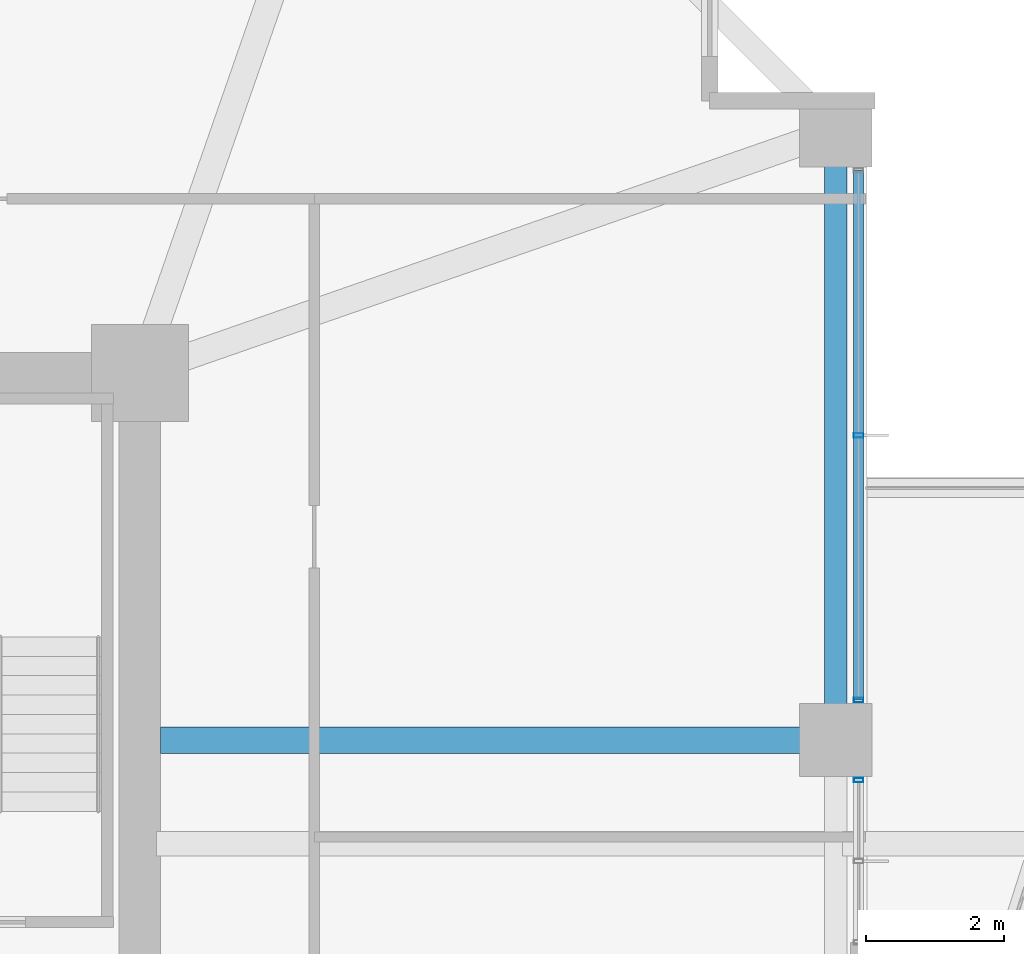
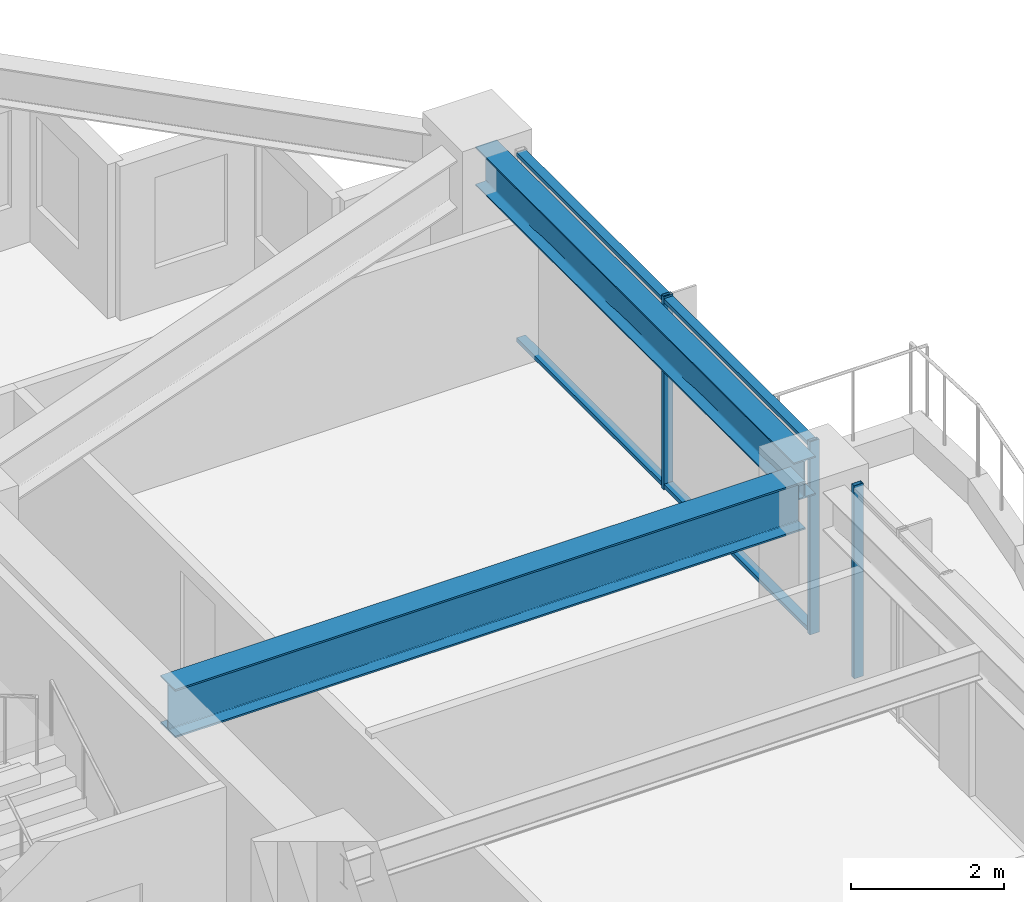
# One storey, part 18 of 36: 5 members, 2 beams, 2 elements without a shape of their own.
"""IFC4 building model written with IfcOpenShell, lengths in metres."""

from ifc_helpers import new_model, si_unit, direction, frame, origin, origin_2d, place, context, subcontext, project, spatial, hollow_rectangle, i_section, extrude, material, material_profile, profile_set, type_object, element, aggregate, save


model = new_model("IFC4")

# Units and contexts
model_context = context("Model", 3, precision=1e-05, world=origin(), true_north=direction((0.0, 1.0)))
body_context = subcontext(model_context, "Body", "Model", "MODEL_VIEW")
ifc_project = project(units=[si_unit("LENGTHUNIT", "METRE"), si_unit("AREAUNIT", "SQUARE_METRE"), si_unit("VOLUMEUNIT", "CUBIC_METRE"), si_unit("PLANEANGLEUNIT", "RADIAN"), si_unit("MASSUNIT", "GRAM", prefix="KILO")], contexts=[model_context])

# Site, building, storey
site_placement = place(None, origin())
site = spatial("IfcSite", under=ifc_project, at=site_placement, CompositionType="ELEMENT")
building_placement = place(site_placement, origin())
building = spatial("IfcBuilding", under=site, at=building_placement, Name="Kolvaren Belvedere", CompositionType="ELEMENT")
storey_placement = place(building_placement, frame((0.0, 0.0, 88.699951171875)))
storey = spatial("IfcBuildingStorey", under=building, at=storey_placement, Name="L25", CompositionType="ELEMENT", Elevation=88.699951171875)

# Beams
ifc_material_1 = material(Name="Structural steel ASTM A992 Grade 50", Category="steel")
ifc_material_profile_1 = material_profile(ifc_material_1, i_section(OverallWidth=0.381103515625, OverallDepth=0.77294921875, WebThickness=0.0166015625, FlangeThickness=0.027099609375, FilletRadius=0.02392578125, at=origin_2d()), Name="W30X173")
ifc_profile_set_1 = profile_set([ifc_material_profile_1], Name="Structural steel ASTM A992 Grade 50")
beam_type_1 = type_object("IfcBeamType", Name="BM-GIRD-W30X173", PredefinedType="BEAM", material=ifc_profile_set_1)
beam_1_placement = place(storey_placement, frame((10.199951171875, 4.60009765625, 2.693603515625), z_axis=(1.0, 0.0, 0.0), x_axis=(0.0, 1.0, 0.0)))
element("IfcBeam", 1, at=beam_1_placement, inside=storey, type_object=beam_type_1, Name="L25 East Radial Girder P", PredefinedType="BEAM", context=body_context, shape_type="SweptSolid", body=[
    extrude(i_section(OverallWidth=0.381103515625, OverallDepth=0.77294921875, WebThickness=0.0166015625, FlangeThickness=0.027099609375, FilletRadius=0.02392578125, at=origin_2d()), origin(), (0.0, 0.0, 1.0), 9.513916015625),
])
ifc_material_2 = material(Name="Structural steel ASTM A992 Grade 50", Category="steel")
ifc_material_profile_2 = material_profile(ifc_material_2, i_section(OverallWidth=0.324951171875, OverallDepth=0.615966796875, WebThickness=0.013916015625, FlangeThickness=0.021484375, FilletRadius=0.02001953125, at=origin_2d()), Name="W24X117")
ifc_profile_set_2 = profile_set([ifc_material_profile_2], Name="Structural steel ASTM A992 Grade 50")
beam_type_2 = type_object("IfcBeamType", Name="BM-SPAN-W24X117", PredefinedType="SPANDREL", material=ifc_profile_set_2)
beam_2_placement = place(storey_placement, frame((19.949951171875, 4.836181640625, 2.77197265625), z_axis=(0.0, 1.0, 0.0), x_axis=(-1.0, 0.0, 0.0)))
element("IfcBeam", 2, at=beam_2_placement, inside=storey, type_object=beam_type_2, Name="L25 Perimeter Spandrel E3-E4", PredefinedType="SPANDREL", context=body_context, shape_type="SweptSolid", body=[
    extrude(i_section(OverallWidth=0.324951171875, OverallDepth=0.615966796875, WebThickness=0.013916015625, FlangeThickness=0.021484375, FilletRadius=0.02001953125, at=origin_2d()), origin(), (0.0, 0.0, 1.0), 8.32763671875),
])

# Curtain wall, members
ifc_material_3 = material(Name="Anodised pale-metal aluminium AA 6063-T6", Category="aluminium")
curtain_wall_type = type_object("IfcCurtainWallType", Name="CW-Z2-MID", PredefinedType="NOTDEFINED", material=ifc_material_3)
curtain_wall_1_placement = place(storey_placement, origin())
curtain_wall_1 = element("IfcCurtainWall", 3, at=curtain_wall_1_placement, inside=storey, type_object=curtain_wall_type, Name="L25 Unitised Curtain Wall FCW-L25-E1-B1", PredefinedType="NOTDEFINED")
ifc_material_4 = material(Name="Anodised pale-metal aluminium AA 6063-T6", Category="aluminium")
ifc_material_profile_3 = material_profile(ifc_material_4, hollow_rectangle(XDim=0.06494140625, YDim=0.139892578125, WallThickness=0.00390625, at=origin_2d()), Name="ALU-MUL-140X65")
ifc_profile_set_3 = profile_set([ifc_material_profile_3], Name="Anodised pale-metal aluminium AA 6063-T6")
member_type_1 = type_object("IfcMemberType", Name="CW-MUL-140", PredefinedType="MULLION", material=ifc_profile_set_3)
member_1_placement = place(storey_placement, frame((20.280029296875, 9.0, 0.0), z_axis=(0.0, 0.0, 1.0), x_axis=(0.0, 1.0, 0.0)))
member_1 = element("IfcMember", 4, at=member_1_placement, type_object=member_type_1, Name="FCW-L25-E1-B1 Unitised Mullion 2", PredefinedType="MULLION", context=body_context, shape_type="SweptSolid", body=[
    extrude(hollow_rectangle(XDim=0.06494140625, YDim=0.139892578125, WallThickness=0.00390625, at=origin_2d()), origin(), (0.0, 0.0, 1.0), 3.080078125),
])
member_2_placement = place(storey_placement, frame((20.280029296875, 5.177490234375, 0.0), z_axis=(0.0, 0.0, 1.0), x_axis=(0.0, 1.0, 0.0)))
member_2 = element("IfcMember", 5, at=member_2_placement, type_object=member_type_1, Name="FCW-L25-E1-B1 Unitised Mullion 3", PredefinedType="MULLION", context=body_context, shape_type="SweptSolid", body=[
    extrude(hollow_rectangle(XDim=0.06494140625, YDim=0.139892578125, WallThickness=0.00390625, at=origin_2d()), origin(), (0.0, 0.0, 1.0), 3.080078125),
])

# Curtain wall, member
curtain_wall_2_placement = place(storey_placement, origin())
curtain_wall_2 = element("IfcCurtainWall", 6, at=curtain_wall_2_placement, inside=storey, type_object=curtain_wall_type, Name="L25 Unitised Curtain Wall FCW-L25-E1-B2", PredefinedType="NOTDEFINED")
member_3_placement = place(storey_placement, frame((20.280029296875, 4.0224609375, 0.0), z_axis=(0.0, 0.0, 1.0), x_axis=(0.0, 1.0, 0.0)))
member_3 = element("IfcMember", 7, at=member_3_placement, type_object=member_type_1, Name="FCW-L25-E1-B2 Unitised Mullion 1", PredefinedType="MULLION", context=body_context, shape_type="SweptSolid", body=[
    extrude(hollow_rectangle(XDim=0.06494140625, YDim=0.139892578125, WallThickness=0.00390625, at=origin_2d()), origin(), (0.0, 0.0, 1.0), 3.080078125),
])
aggregate(curtain_wall_2, [member_3])

# Member
ifc_material_5 = material(Name="Anodised pale-metal aluminium AA 6063-T6", Category="aluminium")
ifc_material_profile_4 = material_profile(ifc_material_5, hollow_rectangle(XDim=0.06005859375, YDim=0.139892578125, WallThickness=0.00390625, at=origin_2d()), Name="ALU-TRN-140X60")
ifc_profile_set_4 = profile_set([ifc_material_profile_4], Name="Anodised pale-metal aluminium AA 6063-T6")
member_type_2 = type_object("IfcMemberType", Name="CW-TRN-140", PredefinedType="USERDEFINED", material=ifc_profile_set_4)
member_4_placement = place(storey_placement, frame((20.280029296875, 12.822509765625, 0.06005859375), z_axis=(0.0, -1.0, 0.0), x_axis=(0.0, 0.0, 1.0)))
member_4 = element("IfcMember", 8, at=member_4_placement, type_object=member_type_2, Name="FCW-L25-E1-B1 Sill Transom", ObjectType="TRANSOM", PredefinedType="USERDEFINED", context=body_context, shape_type="SweptSolid", body=[
    extrude(hollow_rectangle(XDim=0.06005859375, YDim=0.139892578125, WallThickness=0.00390625, at=origin_2d()), origin(), (0.0, 0.0, 1.0), 7.64501953125),
])

member_5_placement = place(storey_placement, frame((20.280029296875, 12.822509765625, 3.02001953125), z_axis=(0.0, -1.0, 0.0), x_axis=(0.0, 0.0, 1.0)))
member_5 = element("IfcMember", 9, at=member_5_placement, type_object=member_type_2, Name="FCW-L25-E1-B1 Head Transom", ObjectType="TRANSOM", PredefinedType="USERDEFINED", context=body_context, shape_type="SweptSolid", body=[
    extrude(hollow_rectangle(XDim=0.06005859375, YDim=0.139892578125, WallThickness=0.00390625, at=origin_2d()), origin(), (0.0, 0.0, 1.0), 7.64501953125),
])

aggregate(curtain_wall_1, [member_1, member_2, member_4, member_5])

save(model, "model.ifc")
